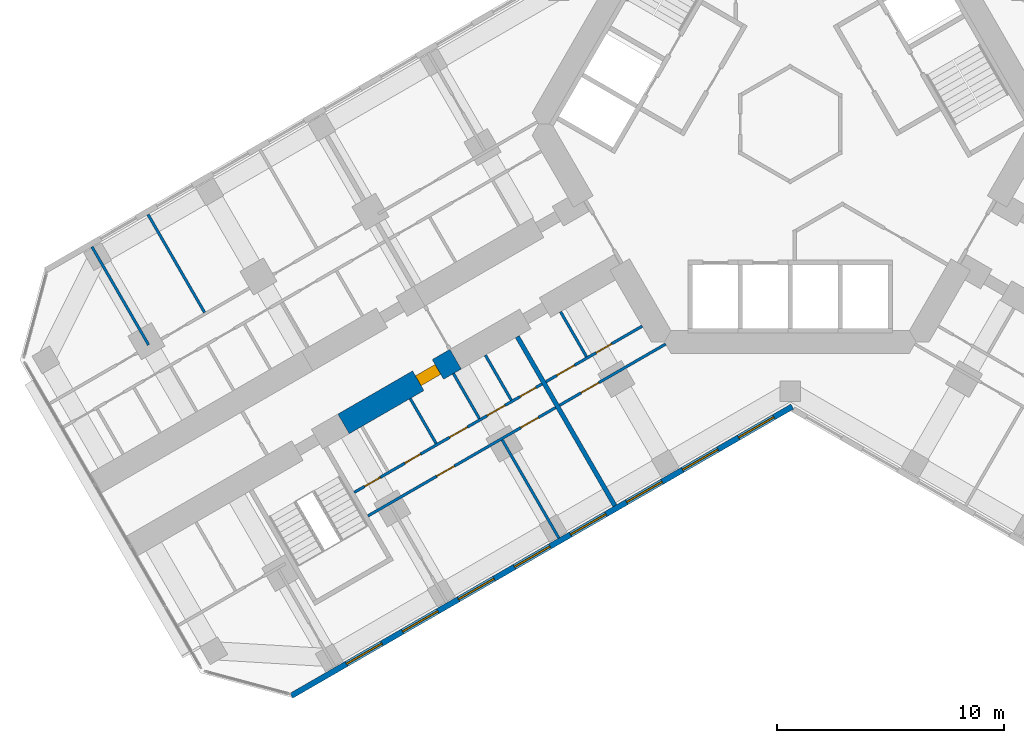
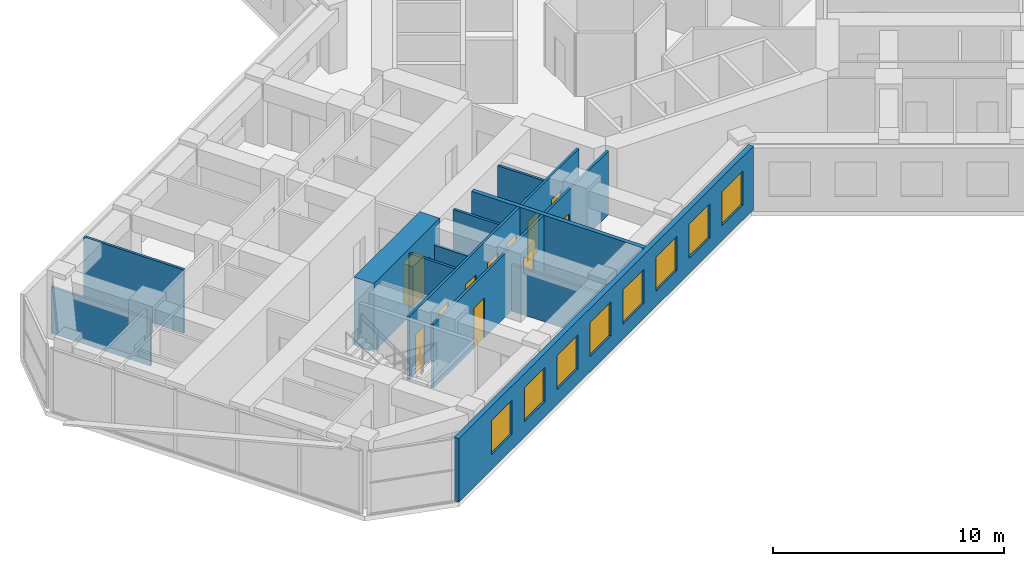
# One storey, part 11 of 21: 14 walls, 11 doors, 8 windows, 19 openings.
"""IFC4 building model written with IfcOpenShell, lengths in metres."""

from ifc_helpers import new_model, si_unit, direction, frame, frame_2d, origin, place, context, subcontext, project, spatial, rectangle, extrude, material, layer, layer_set, type_object, element, fill, save


model = new_model("IFC4")

# Units and contexts
model_context = context("Model", 3, precision=1e-05, world=origin(), true_north=direction((0.0, 1.0)))
body_context = subcontext(model_context, "Body", "Model", "MODEL_VIEW")
ifc_project = project(units=[si_unit("LENGTHUNIT", "METRE"), si_unit("AREAUNIT", "SQUARE_METRE"), si_unit("VOLUMEUNIT", "CUBIC_METRE"), si_unit("PLANEANGLEUNIT", "RADIAN"), si_unit("MASSUNIT", "GRAM", prefix="KILO")], contexts=[model_context])

# Site, building, storey
site_placement = place(None, origin())
site = spatial("IfcSite", under=ifc_project, at=site_placement, CompositionType="ELEMENT")
building_placement = place(site_placement, origin())
building = spatial("IfcBuilding", under=site, at=building_placement, Name="Kosmar Iwan School Tower", CompositionType="ELEMENT")
storey_placement = place(building_placement, frame((0.0, 0.0, 106.0)))
storey = spatial("IfcBuildingStorey", under=building, at=storey_placement, Name="L26", CompositionType="ELEMENT", Elevation=106.0)

# Wall, opening, door
ifc_material_1 = material(Name="Concrete C50/60", Category="concrete")
ifc_layer_1 = layer(ifc_material_1, 1.0)
ifc_layer_set_1 = layer_set([ifc_layer_1], Name="Corridor buttress wall 1000")
wall_type_1 = type_object("IfcWallType", Name="Corridor buttress wall 1000", PredefinedType="SHEAR", material=ifc_layer_set_1)
wall_1_placement = place(storey_placement, frame((-14.7451171875, -10.360595703125, 0.0), z_axis=(0.0, 0.0, 1.0), x_axis=(-0.866015111908, -0.50001782563, 0.0)))
wall_1 = element("IfcWall", 1, at=wall_1_placement, inside=storey, type_object=wall_type_1, Name="Corridor wall BL bay 2", PredefinedType="SHEAR", context=body_context, shape_type="SweptSolid", body=[
    extrude(rectangle(XDim=5.699951171875, YDim=1.0, at=frame_2d((2.85009765625, 0.0))), origin(), (0.0, 0.0, 1.0), 3.60009765625),
])
opening_1_placement = place(wall_1_placement, frame((0.89990234375, 0.0, 0.0)))
opening_1 = element("IfcOpeningElement", 2, at=opening_1_placement, cuts=wall_1, Name="Opening D1", PredefinedType="OPENING", context=body_context, shape_type="SweptSolid", body=[
    extrude(rectangle(XDim=1.0, YDim=2.10009765625, at=frame_2d((0.5, 1.050048828125))), frame((0.0, 0.511962890625, 0.0), z_axis=(0.0, -1.0, 0.0), x_axis=(1.0, 0.0, 0.0)), (0.0, 0.0, 1.0), 1.02392578125),
])
ifc_material_2 = material(Name="Timber fire door in steel frame", Category="steel")
door_type_1 = type_object("IfcDoorType", Name="Flat entrance door 1000x2100", OperationType="SINGLE_SWING_LEFT", PredefinedType="DOOR", material=ifc_material_2)
door_1_placement = place(opening_1_placement, origin())
door_1 = element("IfcDoor", 3, at=door_1_placement, inside=storey, type_object=door_type_1, Name="Flat L26-BL2 entrance door", OperationType="SINGLE_SWING_LEFT", OverallHeight=2.10009765625, OverallWidth=1.0, PredefinedType="DOOR", context=body_context, shape_type="SweptSolid", body=[
    extrude(rectangle(XDim=1.0, YDim=2.10009765625, at=frame_2d((0.5, 1.050048828125))), frame((0.0, 0.25, 0.0), z_axis=(0.0, -1.0, 0.0), x_axis=(1.0, 0.0, 0.0)), (0.0, 0.0, 1.0), 0.5),
])
fill(opening_1, door_1)

# Wall, openings, doors
ifc_material_3 = material(Name="Gypsum board on steel studs", Category="steel")
ifc_layer_2 = layer(ifc_material_3, 0.1201171875)
ifc_layer_set_2 = layer_set([ifc_layer_2], Name="Dwelling partition 120")
wall_type_2 = type_object("IfcWallType", Name="Dwelling partition 120", PredefinedType="PARTITIONING", material=ifc_layer_set_2)
wall_2_placement = place(storey_placement, frame((-6.521728515625, -8.90380859375, 0.0), z_axis=(0.0, 0.0, 1.0), x_axis=(-0.866036242063, -0.49998122708, 0.0)))
wall_2 = element("IfcWall", 4, at=wall_2_placement, inside=storey, type_object=wall_type_2, Name="Partition L26-BL1-W1", PredefinedType="PARTITIONING", context=body_context, shape_type="SweptSolid", body=[
    extrude(rectangle(XDim=4.900146484375, YDim=0.1201171875, at=frame_2d((2.4501953125, 0.0))), origin(), (0.0, 0.0, 1.0), 3.35009765625),
])
opening_2_placement = place(wall_2_placement, frame((1.550048828125, 0.0, 0.0)))
opening_2 = element("IfcOpeningElement", 5, at=opening_2_placement, cuts=wall_2, Name="Opening D3", PredefinedType="OPENING", context=body_context, shape_type="SweptSolid", body=[
    extrude(rectangle(XDim=0.800048828125, YDim=2.10009765625, at=frame_2d((0.39990234375, 1.050048828125))), frame((0.0, 0.072021484375, 0.0), z_axis=(0.0, -1.0, 0.0), x_axis=(1.0, 0.0, 0.0)), (0.0, 0.0, 1.0), 0.14404296875),
])
opening_3_placement = place(wall_2_placement, frame((3.449951171875, 0.0, 0.0)))
opening_3 = element("IfcOpeningElement", 6, at=opening_3_placement, cuts=wall_2, Name="Opening D2", PredefinedType="OPENING", context=body_context, shape_type="SweptSolid", body=[
    extrude(rectangle(XDim=0.89990234375, YDim=2.10009765625, at=frame_2d((0.449951171875, 1.050048828125))), frame((0.0, 0.072021484375, 0.0), z_axis=(0.0, -1.0, 0.0), x_axis=(1.0, 0.0, 0.0)), (0.0, 0.0, 1.0), 0.14404296875),
])
ifc_material_4 = material(Name="Timber door in timber frame", Category="wood")
door_type_2 = type_object("IfcDoorType", Name="Internal door 900x2100", OperationType="SINGLE_SWING_LEFT", PredefinedType="DOOR", material=ifc_material_4)
door_2_placement = place(opening_3_placement, origin())
door_2 = element("IfcDoor", 7, at=door_2_placement, inside=storey, type_object=door_type_2, Name="Entrance hall door L26-BL1-S2", OperationType="SINGLE_SWING_RIGHT", OverallHeight=2.10009765625, OverallWidth=0.89990234375, PredefinedType="DOOR", context=body_context, shape_type="SweptSolid", body=[
    extrude(rectangle(XDim=0.89990234375, YDim=2.10009765625, at=frame_2d((0.449951171875, 1.050048828125))), frame((0.0, 0.02490234375, 0.0), z_axis=(0.0, -1.0, 0.0), x_axis=(1.0, 0.0, 0.0)), (0.0, 0.0, 1.0), 0.050048828125),
])
fill(opening_3, door_2)
ifc_material_5 = material(Name="Timber door in timber frame", Category="wood")
door_type_3 = type_object("IfcDoorType", Name="Sanitary room door 800x2100", OperationType="SINGLE_SWING_LEFT", PredefinedType="DOOR", material=ifc_material_5)
door_3_placement = place(opening_2_placement, origin())
door_3 = element("IfcDoor", 8, at=door_3_placement, inside=storey, type_object=door_type_3, Name="Bathroom door L26-BL1-S1", OperationType="SINGLE_SWING_LEFT", OverallHeight=2.10009765625, OverallWidth=0.800048828125, PredefinedType="DOOR", context=body_context, shape_type="SweptSolid", body=[
    extrude(rectangle(XDim=0.800048828125, YDim=2.10009765625, at=frame_2d((0.39990234375, 1.050048828125))), frame((0.0, 0.02490234375, 0.0), z_axis=(0.0, -1.0, 0.0), x_axis=(1.0, 0.0, 0.0)), (0.0, 0.0, 1.0), 0.050048828125),
])
fill(opening_2, door_3)

# Wall, opening, door
wall_3_placement = place(storey_placement, frame((-5.48876953125, -9.693115234375, 0.0), z_axis=(0.0, 0.0, 1.0), x_axis=(-0.866028230842, -0.499995103361, 0.0)))
wall_3 = element("IfcWall", 9, at=wall_3_placement, inside=storey, type_object=wall_type_2, Name="Partition L26-BL1-W2", PredefinedType="PARTITIONING", context=body_context, shape_type="SweptSolid", body=[
    extrude(rectangle(XDim=5.39990234375, YDim=0.1201171875, at=frame_2d((2.699951171875, 0.0))), origin(), (0.0, 0.0, 1.0), 3.35009765625),
])
opening_4_placement = place(wall_3_placement, frame((3.39990234375, 0.0, 0.0)))
opening_4 = element("IfcOpeningElement", 10, at=opening_4_placement, cuts=wall_3, Name="Opening D2", PredefinedType="OPENING", context=body_context, shape_type="SweptSolid", body=[
    extrude(rectangle(XDim=0.89990234375, YDim=2.10009765625, at=frame_2d((0.449951171875, 1.050048828125))), frame((0.0, 0.072021484375, 0.0), z_axis=(0.0, -1.0, 0.0), x_axis=(1.0, 0.0, 0.0)), (0.0, 0.0, 1.0), 0.14404296875),
])
door_4_placement = place(opening_4_placement, origin())
door_4 = element("IfcDoor", 11, at=door_4_placement, inside=storey, type_object=door_type_2, Name="Studio living room and kitchen door L26-BL1-F1", OperationType="SINGLE_SWING_RIGHT", OverallHeight=2.10009765625, OverallWidth=0.89990234375, PredefinedType="DOOR", context=body_context, shape_type="SweptSolid", body=[
    extrude(rectangle(XDim=0.89990234375, YDim=2.10009765625, at=frame_2d((0.449951171875, 1.050048828125))), frame((0.0, 0.02490234375, 0.0), z_axis=(0.0, -1.0, 0.0), x_axis=(1.0, 0.0, 0.0)), (0.0, 0.0, 1.0), 0.050048828125),
])
fill(opening_4, door_4)

# Wall
wall_4_placement = place(storey_placement, frame((-10.121826171875, -8.2685546875, 0.0), z_axis=(0.0, 0.0, 1.0), x_axis=(0.499968531483, -0.866043571379, 0.0)))
element("IfcWall", 12, at=wall_4_placement, inside=storey, type_object=wall_type_2, Name="Partition L26-BL1-Y1", PredefinedType="PARTITIONING", context=body_context, shape_type="SweptSolid", body=[
    extrude(rectangle(XDim=2.290283203125, YDim=0.1201171875, at=frame_2d((1.14501953125, 0.0))), origin(), (0.0, 0.0, 1.0), 3.35009765625),
])

# Wall, openings, doors
wall_5_placement = place(storey_placement, frame((-10.9384765625, -11.453857421875, 0.0), z_axis=(0.0, 0.0, 1.0), x_axis=(-0.866035311659, -0.499982838664, 0.0)))
wall_5 = element("IfcWall", 13, at=wall_5_placement, inside=storey, type_object=wall_type_2, Name="Partition L26-BL2-W1", PredefinedType="PARTITIONING", context=body_context, shape_type="SweptSolid", body=[
    extrude(rectangle(XDim=9.550048828125, YDim=0.1201171875, at=frame_2d((4.77490234375, 0.0))), origin(), (0.0, 0.0, 1.0), 3.35009765625),
])
opening_5_placement = place(wall_5_placement, frame((0.3125, 0.0, 0.0)))
opening_5 = element("IfcOpeningElement", 14, at=opening_5_placement, cuts=wall_5, Name="Opening D3", PredefinedType="OPENING", context=body_context, shape_type="SweptSolid", body=[
    extrude(rectangle(XDim=0.800048828125, YDim=2.10009765625, at=frame_2d((0.39990234375, 1.050048828125))), frame((0.0, 0.072021484375, 0.0), z_axis=(0.0, -1.0, 0.0), x_axis=(1.0, 0.0, 0.0)), (0.0, 0.0, 1.0), 0.14404296875),
])
opening_6_placement = place(wall_5_placement, frame((1.887451171875, 0.0, 0.0)))
opening_6 = element("IfcOpeningElement", 15, at=opening_6_placement, cuts=wall_5, Name="Opening D2", PredefinedType="OPENING", context=body_context, shape_type="SweptSolid", body=[
    extrude(rectangle(XDim=0.89990234375, YDim=2.10009765625, at=frame_2d((0.449951171875, 1.050048828125))), frame((0.0, 0.072021484375, 0.0), z_axis=(0.0, -1.0, 0.0), x_axis=(1.0, 0.0, 0.0)), (0.0, 0.0, 1.0), 0.14404296875),
])
opening_7_placement = place(wall_5_placement, frame((3.800048828125, 0.0, 0.0)))
opening_7 = element("IfcOpeningElement", 16, at=opening_7_placement, cuts=wall_5, Name="Opening D2", PredefinedType="OPENING", context=body_context, shape_type="SweptSolid", body=[
    extrude(rectangle(XDim=0.89990234375, YDim=2.10009765625, at=frame_2d((0.449951171875, 1.050048828125))), frame((0.0, 0.072021484375, 0.0), z_axis=(0.0, -1.0, 0.0), x_axis=(1.0, 0.0, 0.0)), (0.0, 0.0, 1.0), 0.14404296875),
])
opening_8_placement = place(wall_5_placement, frame((6.179931640625, 0.0, 0.0)))
opening_8 = element("IfcOpeningElement", 17, at=opening_8_placement, cuts=wall_5, Name="Opening D3", PredefinedType="OPENING", context=body_context, shape_type="SweptSolid", body=[
    extrude(rectangle(XDim=0.800048828125, YDim=2.10009765625, at=frame_2d((0.39990234375, 1.050048828125))), frame((0.0, 0.072021484375, 0.0), z_axis=(0.0, -1.0, 0.0), x_axis=(1.0, 0.0, 0.0)), (0.0, 0.0, 1.0), 0.14404296875),
])
opening_9_placement = place(wall_5_placement, frame((8.22998046875, 0.0, 0.0)))
opening_9 = element("IfcOpeningElement", 18, at=opening_9_placement, cuts=wall_5, Name="Opening D3", PredefinedType="OPENING", context=body_context, shape_type="SweptSolid", body=[
    extrude(rectangle(XDim=0.800048828125, YDim=2.10009765625, at=frame_2d((0.39990234375, 1.050048828125))), frame((0.0, 0.072021484375, 0.0), z_axis=(0.0, -1.0, 0.0), x_axis=(1.0, 0.0, 0.0)), (0.0, 0.0, 1.0), 0.14404296875),
])
door_5_placement = place(opening_6_placement, frame((0.89990234375, 0.0, 0.0), z_axis=(0.0, 0.0, 1.0), x_axis=(-1.0, 0.0, 0.0)))
door_5 = element("IfcDoor", 19, at=door_5_placement, inside=storey, type_object=door_type_2, Name="Pantry door L26-BL2-S2", OperationType="SINGLE_SWING_RIGHT", OverallHeight=2.10009765625, OverallWidth=0.89990234375, PredefinedType="DOOR", context=body_context, shape_type="SweptSolid", body=[
    extrude(rectangle(XDim=0.89990234375, YDim=2.10009765625, at=frame_2d((0.449951171875, 1.050048828125))), frame((0.0, 0.02490234375, 0.0), z_axis=(0.0, -1.0, 0.0), x_axis=(1.0, 0.0, 0.0)), (0.0, 0.0, 1.0), 0.050048828125),
])
fill(opening_6, door_5)
door_6_placement = place(opening_7_placement, origin())
door_6 = element("IfcDoor", 20, at=door_6_placement, inside=storey, type_object=door_type_2, Name="Entrance hall door L26-BL2-S3", OperationType="SINGLE_SWING_LEFT", OverallHeight=2.10009765625, OverallWidth=0.89990234375, PredefinedType="DOOR", context=body_context, shape_type="SweptSolid", body=[
    extrude(rectangle(XDim=0.89990234375, YDim=2.10009765625, at=frame_2d((0.449951171875, 1.050048828125))), frame((0.0, 0.02490234375, 0.0), z_axis=(0.0, -1.0, 0.0), x_axis=(1.0, 0.0, 0.0)), (0.0, 0.0, 1.0), 0.050048828125),
])
fill(opening_7, door_6)
door_7_placement = place(opening_5_placement, origin())
door_7 = element("IfcDoor", 21, at=door_7_placement, inside=storey, type_object=door_type_3, Name="Store door L26-BL2-S1", OperationType="SINGLE_SWING_LEFT", OverallHeight=2.10009765625, OverallWidth=0.800048828125, PredefinedType="DOOR", context=body_context, shape_type="SweptSolid", body=[
    extrude(rectangle(XDim=0.800048828125, YDim=2.10009765625, at=frame_2d((0.39990234375, 1.050048828125))), frame((0.0, 0.02490234375, 0.0), z_axis=(0.0, -1.0, 0.0), x_axis=(1.0, 0.0, 0.0)), (0.0, 0.0, 1.0), 0.050048828125),
])
fill(opening_5, door_7)
door_8_placement = place(opening_8_placement, origin())
door_8 = element("IfcDoor", 22, at=door_8_placement, inside=storey, type_object=door_type_3, Name="Bathroom door L26-BL2-S4", OperationType="SINGLE_SWING_RIGHT", OverallHeight=2.10009765625, OverallWidth=0.800048828125, PredefinedType="DOOR", context=body_context, shape_type="SweptSolid", body=[
    extrude(rectangle(XDim=0.800048828125, YDim=2.10009765625, at=frame_2d((0.39990234375, 1.050048828125))), frame((0.0, 0.02490234375, 0.0), z_axis=(0.0, -1.0, 0.0), x_axis=(1.0, 0.0, 0.0)), (0.0, 0.0, 1.0), 0.050048828125),
])
fill(opening_8, door_8)
door_9_placement = place(opening_9_placement, origin())
door_9 = element("IfcDoor", 23, at=door_9_placement, inside=storey, type_object=door_type_3, Name="WC door L26-BL2-S5", OperationType="SINGLE_SWING_RIGHT", OverallHeight=2.10009765625, OverallWidth=0.800048828125, PredefinedType="DOOR", context=body_context, shape_type="SweptSolid", body=[
    extrude(rectangle(XDim=0.800048828125, YDim=2.10009765625, at=frame_2d((0.39990234375, 1.050048828125))), frame((0.0, 0.02490234375, 0.0), z_axis=(0.0, -1.0, 0.0), x_axis=(1.0, 0.0, 0.0)), (0.0, 0.0, 1.0), 0.050048828125),
])
fill(opening_9, door_9)

wall_6_placement = place(storey_placement, frame((-10.338623046875, -12.492919921875, 0.0), z_axis=(0.0, 0.0, 1.0), x_axis=(-0.866017851049, -0.500013081493, 0.0)))
wall_6 = element("IfcWall", 24, at=wall_6_placement, inside=storey, type_object=wall_type_2, Name="Partition L26-BL2-W2", PredefinedType="PARTITIONING", context=body_context, shape_type="SweptSolid", body=[
    extrude(rectangle(XDim=9.550048828125, YDim=0.1201171875, at=frame_2d((4.77490234375, 0.0))), origin(), (0.0, 0.0, 1.0), 3.35009765625),
])
opening_10_placement = place(wall_6_placement, frame((0.875, 0.0, 0.0)))
opening_10 = element("IfcOpeningElement", 25, at=opening_10_placement, cuts=wall_6, Name="Opening D2", PredefinedType="OPENING", context=body_context, shape_type="SweptSolid", body=[
    extrude(rectangle(XDim=0.89990234375, YDim=2.10009765625, at=frame_2d((0.449951171875, 1.050048828125))), frame((0.0, 0.072021484375, 0.0), z_axis=(0.0, -1.0, 0.0), x_axis=(1.0, 0.0, 0.0)), (0.0, 0.0, 1.0), 0.14404296875),
])
opening_11_placement = place(wall_6_placement, frame((5.14990234375, 0.0, 0.0)))
opening_11 = element("IfcOpeningElement", 26, at=opening_11_placement, cuts=wall_6, Name="Opening D2", PredefinedType="OPENING", context=body_context, shape_type="SweptSolid", body=[
    extrude(rectangle(XDim=0.89990234375, YDim=2.10009765625, at=frame_2d((0.449951171875, 1.050048828125))), frame((0.0, 0.072021484375, 0.0), z_axis=(0.0, -1.0, 0.0), x_axis=(1.0, 0.0, 0.0)), (0.0, 0.0, 1.0), 0.14404296875),
])
door_10_placement = place(opening_10_placement, origin())
door_10 = element("IfcDoor", 27, at=door_10_placement, inside=storey, type_object=door_type_2, Name="Bedroom 1 door L26-BL2-F1", OperationType="SINGLE_SWING_RIGHT", OverallHeight=2.10009765625, OverallWidth=0.89990234375, PredefinedType="DOOR", context=body_context, shape_type="SweptSolid", body=[
    extrude(rectangle(XDim=0.89990234375, YDim=2.10009765625, at=frame_2d((0.449951171875, 1.050048828125))), frame((0.0, 0.02490234375, 0.0), z_axis=(0.0, -1.0, 0.0), x_axis=(1.0, 0.0, 0.0)), (0.0, 0.0, 1.0), 0.050048828125),
])
fill(opening_10, door_10)
door_11_placement = place(opening_11_placement, origin())
door_11 = element("IfcDoor", 28, at=door_11_placement, inside=storey, type_object=door_type_2, Name="Living room and kitchen door L26-BL2-F2", OperationType="SINGLE_SWING_LEFT", OverallHeight=2.10009765625, OverallWidth=0.89990234375, PredefinedType="DOOR", context=body_context, shape_type="SweptSolid", body=[
    extrude(rectangle(XDim=0.89990234375, YDim=2.10009765625, at=frame_2d((0.449951171875, 1.050048828125))), frame((0.0, 0.02490234375, 0.0), z_axis=(0.0, -1.0, 0.0), x_axis=(1.0, 0.0, 0.0)), (0.0, 0.0, 1.0), 0.050048828125),
])
fill(opening_11, door_11)

# Walls
wall_7_placement = place(storey_placement, frame((-12.690185546875, -13.919921875, 0.0), z_axis=(0.0, 0.0, 1.0), x_axis=(0.500011847778, -0.866018563358, 0.0)))
element("IfcWall", 29, at=wall_7_placement, inside=storey, type_object=wall_type_2, Name="Partition L26-BL2-X1", PredefinedType="PARTITIONING", context=body_context, shape_type="SweptSolid", body=[
    extrude(rectangle(XDim=4.990234375, YDim=0.1201171875, at=frame_2d((2.4951171875, 0.0))), origin(), (0.0, 0.0, 1.0), 2.449951171875),
])
wall_8_placement = place(storey_placement, frame((-13.434326171875, -10.18115234375, 0.0), z_axis=(0.0, 0.0, 1.0), x_axis=(0.500014693593, -0.866016920268, 0.0)))
element("IfcWall", 30, at=wall_8_placement, inside=storey, type_object=wall_type_2, Name="Partition L26-BL2-Y1", PredefinedType="PARTITIONING", context=body_context, shape_type="SweptSolid", body=[
    extrude(rectangle(XDim=2.2900390625, YDim=0.1201171875, at=frame_2d((1.14501953125, 0.0))), origin(), (0.0, 0.0, 1.0), 3.35009765625),
])
wall_9_placement = place(storey_placement, frame((-14.841552734375, -10.99365234375, 0.0), z_axis=(0.0, 0.0, 1.0), x_axis=(0.500014693593, -0.866016920268, 0.0)))
element("IfcWall", 31, at=wall_9_placement, inside=storey, type_object=wall_type_2, Name="Partition L26-BL2-Y2", PredefinedType="PARTITIONING", context=body_context, shape_type="SweptSolid", body=[
    extrude(rectangle(XDim=2.2900390625, YDim=0.1201171875, at=frame_2d((1.14501953125, 0.0))), origin(), (0.0, 0.0, 1.0), 2.449951171875),
])
wall_10_placement = place(storey_placement, frame((-16.746826171875, -12.09375, 0.0), z_axis=(0.0, 0.0, 1.0), x_axis=(0.500014693593, -0.866016920268, 0.0)))
element("IfcWall", 32, at=wall_10_placement, inside=storey, type_object=wall_type_2, Name="Partition L26-BL2-Y3", PredefinedType="PARTITIONING", context=body_context, shape_type="SweptSolid", body=[
    extrude(rectangle(XDim=2.2900390625, YDim=0.1201171875, at=frame_2d((1.14501953125, 0.0))), origin(), (0.0, 0.0, 1.0), 3.35009765625),
])
wall_11_placement = place(storey_placement, frame((-25.8046875, -8.304931640625, 0.0), z_axis=(0.0, 0.0, 1.0), x_axis=(-0.499975153383, 0.86603974851, 0.0)))
element("IfcWall", 33, at=wall_11_placement, inside=storey, type_object=wall_type_2, Name="Partition L26-BR2-X2", PredefinedType="PARTITIONING", context=body_context, shape_type="SweptSolid", body=[
    extrude(rectangle(XDim=4.989990234375, YDim=0.1201171875, at=frame_2d((2.4951171875, 0.0))), origin(), (0.0, 0.0, 1.0), 3.35009765625),
])
wall_12_placement = place(storey_placement, frame((-28.27294921875, -9.72998046875, 0.0), z_axis=(0.0, 0.0, 1.0), x_axis=(-0.499975153383, 0.86603974851, 0.0)))
element("IfcWall", 34, at=wall_12_placement, inside=storey, type_object=wall_type_2, Name="Partition L26-BR2-X3", PredefinedType="PARTITIONING", context=body_context, shape_type="SweptSolid", body=[
    extrude(rectangle(XDim=4.989990234375, YDim=0.1201171875, at=frame_2d((2.4951171875, 0.0))), origin(), (0.0, 0.0, 1.0), 2.449951171875),
])

# Wall, openings, windows
ifc_material_6 = material(Name="Black aluminium rainscreen on insulated framing", Category="aluminium")
ifc_layer_3 = layer(ifc_material_6, 0.25)
ifc_layer_set_3 = layer_set([ifc_layer_3], Name="External wall rainscreen 250")
wall_type_3 = type_object("IfcWallType", Name="External wall rainscreen 250", PredefinedType="SOLIDWALL", material=ifc_layer_set_3)
wall_13_placement = place(storey_placement, frame((0.088134765625, -12.44873046875, 0.0), z_axis=(0.0, 0.0, 1.0), x_axis=(-0.866026390279, -0.499998291337, 0.0)))
wall_13 = element("IfcWall", 35, at=wall_13_placement, inside=storey, type_object=wall_type_3, Name="External wall BL L26", PredefinedType="SOLIDWALL", context=body_context, shape_type="SweptSolid", body=[
    extrude(rectangle(XDim=25.4873046875, YDim=0.25, at=frame_2d((12.74365234375, 0.0))), origin(), (0.0, 0.0, 1.0), 3.35009765625),
])
opening_12_placement = place(wall_13_placement, frame((0.927001953125, 0.0, 0.800048828125)))
opening_12 = element("IfcOpeningElement", 36, at=opening_12_placement, cuts=wall_13, Name="Opening W1", PredefinedType="OPENING", context=body_context, shape_type="SweptSolid", body=[
    extrude(rectangle(XDim=1.800048828125, YDim=1.800048828125, at=frame_2d((0.89990234375, 0.89990234375))), frame((0.0, 0.136962890625, 0.0), z_axis=(0.0, -1.0, 0.0), x_axis=(1.0, 0.0, 0.0)), (0.0, 0.0, 1.0), 0.27392578125),
])
opening_13_placement = place(wall_13_placement, frame((3.777099609375, 0.0, 0.800048828125)))
opening_13 = element("IfcOpeningElement", 37, at=opening_13_placement, cuts=wall_13, Name="Opening W1", PredefinedType="OPENING", context=body_context, shape_type="SweptSolid", body=[
    extrude(rectangle(XDim=1.800048828125, YDim=1.800048828125, at=frame_2d((0.89990234375, 0.89990234375))), frame((0.0, 0.136962890625, 0.0), z_axis=(0.0, -1.0, 0.0), x_axis=(1.0, 0.0, 0.0)), (0.0, 0.0, 1.0), 0.27392578125),
])
opening_14_placement = place(wall_13_placement, frame((6.626953125, 0.0, 0.800048828125)))
opening_14 = element("IfcOpeningElement", 38, at=opening_14_placement, cuts=wall_13, Name="Opening W1", PredefinedType="OPENING", context=body_context, shape_type="SweptSolid", body=[
    extrude(rectangle(XDim=1.800048828125, YDim=1.800048828125, at=frame_2d((0.89990234375, 0.89990234375))), frame((0.0, 0.136962890625, 0.0), z_axis=(0.0, -1.0, 0.0), x_axis=(1.0, 0.0, 0.0)), (0.0, 0.0, 1.0), 0.27392578125),
])
opening_15_placement = place(wall_13_placement, frame((9.47705078125, 0.0, 0.800048828125)))
opening_15 = element("IfcOpeningElement", 39, at=opening_15_placement, cuts=wall_13, Name="Opening W1", PredefinedType="OPENING", context=body_context, shape_type="SweptSolid", body=[
    extrude(rectangle(XDim=1.800048828125, YDim=1.800048828125, at=frame_2d((0.89990234375, 0.89990234375))), frame((0.0, 0.136962890625, 0.0), z_axis=(0.0, -1.0, 0.0), x_axis=(1.0, 0.0, 0.0)), (0.0, 0.0, 1.0), 0.27392578125),
])
opening_16_placement = place(wall_13_placement, frame((12.326904296875, 0.0, 0.800048828125)))
opening_16 = element("IfcOpeningElement", 40, at=opening_16_placement, cuts=wall_13, Name="Opening W1", PredefinedType="OPENING", context=body_context, shape_type="SweptSolid", body=[
    extrude(rectangle(XDim=1.800048828125, YDim=1.800048828125, at=frame_2d((0.89990234375, 0.89990234375))), frame((0.0, 0.136962890625, 0.0), z_axis=(0.0, -1.0, 0.0), x_axis=(1.0, 0.0, 0.0)), (0.0, 0.0, 1.0), 0.27392578125),
])
opening_17_placement = place(wall_13_placement, frame((15.177001953125, 0.0, 0.800048828125)))
opening_17 = element("IfcOpeningElement", 41, at=opening_17_placement, cuts=wall_13, Name="Opening W1", PredefinedType="OPENING", context=body_context, shape_type="SweptSolid", body=[
    extrude(rectangle(XDim=1.800048828125, YDim=1.800048828125, at=frame_2d((0.89990234375, 0.89990234375))), frame((0.0, 0.136962890625, 0.0), z_axis=(0.0, -1.0, 0.0), x_axis=(1.0, 0.0, 0.0)), (0.0, 0.0, 1.0), 0.27392578125),
])
opening_18_placement = place(wall_13_placement, frame((18.027099609375, 0.0, 0.800048828125)))
opening_18 = element("IfcOpeningElement", 42, at=opening_18_placement, cuts=wall_13, Name="Opening W1", PredefinedType="OPENING", context=body_context, shape_type="SweptSolid", body=[
    extrude(rectangle(XDim=1.800048828125, YDim=1.800048828125, at=frame_2d((0.89990234375, 0.89990234375))), frame((0.0, 0.136962890625, 0.0), z_axis=(0.0, -1.0, 0.0), x_axis=(1.0, 0.0, 0.0)), (0.0, 0.0, 1.0), 0.27392578125),
])
opening_19_placement = place(wall_13_placement, frame((20.876953125, 0.0, 0.800048828125)))
opening_19 = element("IfcOpeningElement", 43, at=opening_19_placement, cuts=wall_13, Name="Opening W1", PredefinedType="OPENING", context=body_context, shape_type="SweptSolid", body=[
    extrude(rectangle(XDim=1.800048828125, YDim=1.800048828125, at=frame_2d((0.89990234375, 0.89990234375))), frame((0.0, 0.136962890625, 0.0), z_axis=(0.0, -1.0, 0.0), x_axis=(1.0, 0.0, 0.0)), (0.0, 0.0, 1.0), 0.27392578125),
])
ifc_material_7 = material(Name="Black aluminium frame with dark triple glazing", Category="aluminium")
window_type = type_object("IfcWindowType", Name="Window 1800x1800", PartitioningType="SINGLE_PANEL", PredefinedType="WINDOW", material=ifc_material_7)
window_1_placement = place(opening_12_placement, origin())
window_1 = element("IfcWindow", 44, at=window_1_placement, inside=storey, type_object=window_type, Name="Window BL L26 -1", OverallHeight=1.800048828125, OverallWidth=1.800048828125, PartitioningType="SINGLE_PANEL", PredefinedType="WINDOW", context=body_context, shape_type="SweptSolid", body=[
    extrude(rectangle(XDim=1.800048828125, YDim=1.800048828125, at=frame_2d((0.89990234375, 0.89990234375))), frame((0.0, 0.030029296875, 0.0), z_axis=(0.0, -1.0, 0.0), x_axis=(1.0, 0.0, 0.0)), (0.0, 0.0, 1.0), 0.06005859375),
])
fill(opening_12, window_1)
window_2_placement = place(opening_13_placement, origin())
window_2 = element("IfcWindow", 45, at=window_2_placement, inside=storey, type_object=window_type, Name="Window BL L26 0", OverallHeight=1.800048828125, OverallWidth=1.800048828125, PartitioningType="SINGLE_PANEL", PredefinedType="WINDOW", context=body_context, shape_type="SweptSolid", body=[
    extrude(rectangle(XDim=1.800048828125, YDim=1.800048828125, at=frame_2d((0.89990234375, 0.89990234375))), frame((0.0, 0.030029296875, 0.0), z_axis=(0.0, -1.0, 0.0), x_axis=(1.0, 0.0, 0.0)), (0.0, 0.0, 1.0), 0.06005859375),
])
fill(opening_13, window_2)
window_3_placement = place(opening_14_placement, origin())
window_3 = element("IfcWindow", 46, at=window_3_placement, inside=storey, type_object=window_type, Name="Window BL L26 1", OverallHeight=1.800048828125, OverallWidth=1.800048828125, PartitioningType="SINGLE_PANEL", PredefinedType="WINDOW", context=body_context, shape_type="SweptSolid", body=[
    extrude(rectangle(XDim=1.800048828125, YDim=1.800048828125, at=frame_2d((0.89990234375, 0.89990234375))), frame((0.0, 0.030029296875, 0.0), z_axis=(0.0, -1.0, 0.0), x_axis=(1.0, 0.0, 0.0)), (0.0, 0.0, 1.0), 0.06005859375),
])
fill(opening_14, window_3)
window_4_placement = place(opening_15_placement, origin())
window_4 = element("IfcWindow", 47, at=window_4_placement, inside=storey, type_object=window_type, Name="Window BL L26 2", OverallHeight=1.800048828125, OverallWidth=1.800048828125, PartitioningType="SINGLE_PANEL", PredefinedType="WINDOW", context=body_context, shape_type="SweptSolid", body=[
    extrude(rectangle(XDim=1.800048828125, YDim=1.800048828125, at=frame_2d((0.89990234375, 0.89990234375))), frame((0.0, 0.030029296875, 0.0), z_axis=(0.0, -1.0, 0.0), x_axis=(1.0, 0.0, 0.0)), (0.0, 0.0, 1.0), 0.06005859375),
])
fill(opening_15, window_4)
window_5_placement = place(opening_16_placement, origin())
window_5 = element("IfcWindow", 48, at=window_5_placement, inside=storey, type_object=window_type, Name="Window BL L26 3", OverallHeight=1.800048828125, OverallWidth=1.800048828125, PartitioningType="SINGLE_PANEL", PredefinedType="WINDOW", context=body_context, shape_type="SweptSolid", body=[
    extrude(rectangle(XDim=1.800048828125, YDim=1.800048828125, at=frame_2d((0.89990234375, 0.89990234375))), frame((0.0, 0.030029296875, 0.0), z_axis=(0.0, -1.0, 0.0), x_axis=(1.0, 0.0, 0.0)), (0.0, 0.0, 1.0), 0.06005859375),
])
fill(opening_16, window_5)
window_6_placement = place(opening_17_placement, origin())
window_6 = element("IfcWindow", 49, at=window_6_placement, inside=storey, type_object=window_type, Name="Window BL L26 4", OverallHeight=1.800048828125, OverallWidth=1.800048828125, PartitioningType="SINGLE_PANEL", PredefinedType="WINDOW", context=body_context, shape_type="SweptSolid", body=[
    extrude(rectangle(XDim=1.800048828125, YDim=1.800048828125, at=frame_2d((0.89990234375, 0.89990234375))), frame((0.0, 0.030029296875, 0.0), z_axis=(0.0, -1.0, 0.0), x_axis=(1.0, 0.0, 0.0)), (0.0, 0.0, 1.0), 0.06005859375),
])
fill(opening_17, window_6)
window_7_placement = place(opening_18_placement, origin())
window_7 = element("IfcWindow", 50, at=window_7_placement, inside=storey, type_object=window_type, Name="Window BL L26 5", OverallHeight=1.800048828125, OverallWidth=1.800048828125, PartitioningType="SINGLE_PANEL", PredefinedType="WINDOW", context=body_context, shape_type="SweptSolid", body=[
    extrude(rectangle(XDim=1.800048828125, YDim=1.800048828125, at=frame_2d((0.89990234375, 0.89990234375))), frame((0.0, 0.030029296875, 0.0), z_axis=(0.0, -1.0, 0.0), x_axis=(1.0, 0.0, 0.0)), (0.0, 0.0, 1.0), 0.06005859375),
])
fill(opening_18, window_7)
window_8_placement = place(opening_19_placement, origin())
window_8 = element("IfcWindow", 51, at=window_8_placement, inside=storey, type_object=window_type, Name="Window BL L26 6", OverallHeight=1.800048828125, OverallWidth=1.800048828125, PartitioningType="SINGLE_PANEL", PredefinedType="WINDOW", context=body_context, shape_type="SweptSolid", body=[
    extrude(rectangle(XDim=1.800048828125, YDim=1.800048828125, at=frame_2d((0.89990234375, 0.89990234375))), frame((0.0, 0.030029296875, 0.0), z_axis=(0.0, -1.0, 0.0), x_axis=(1.0, 0.0, 0.0)), (0.0, 0.0, 1.0), 0.06005859375),
])
fill(opening_19, window_8)

# Wall
ifc_material_8 = material(Name="Concrete block masonry", Category="masonry")
ifc_layer_4 = layer(ifc_material_8, 0.199951171875)
ifc_layer_set_4 = layer_set([ifc_layer_4], Name="Party wall 200")
wall_type_4 = type_object("IfcWallType", Name="Party wall 200", PredefinedType="PARTITIONING", material=ifc_layer_set_4)
wall_14_placement = place(storey_placement, frame((-12.027099609375, -9.36865234375, 0.0), z_axis=(0.0, 0.0, 1.0), x_axis=(0.500007509209, -0.866021068297, 0.0)))
element("IfcWall", 52, at=wall_14_placement, inside=storey, type_object=wall_type_4, Name="Partition L26-BL2-PW", PredefinedType="PARTITIONING", context=body_context, shape_type="SweptSolid", body=[
    extrude(rectangle(XDim=8.599853515625, YDim=0.199951171875, at=frame_2d((4.2998046875, 0.0))), origin(), (0.0, 0.0, 1.0), 3.35009765625),
])

save(model, "model.ifc")
